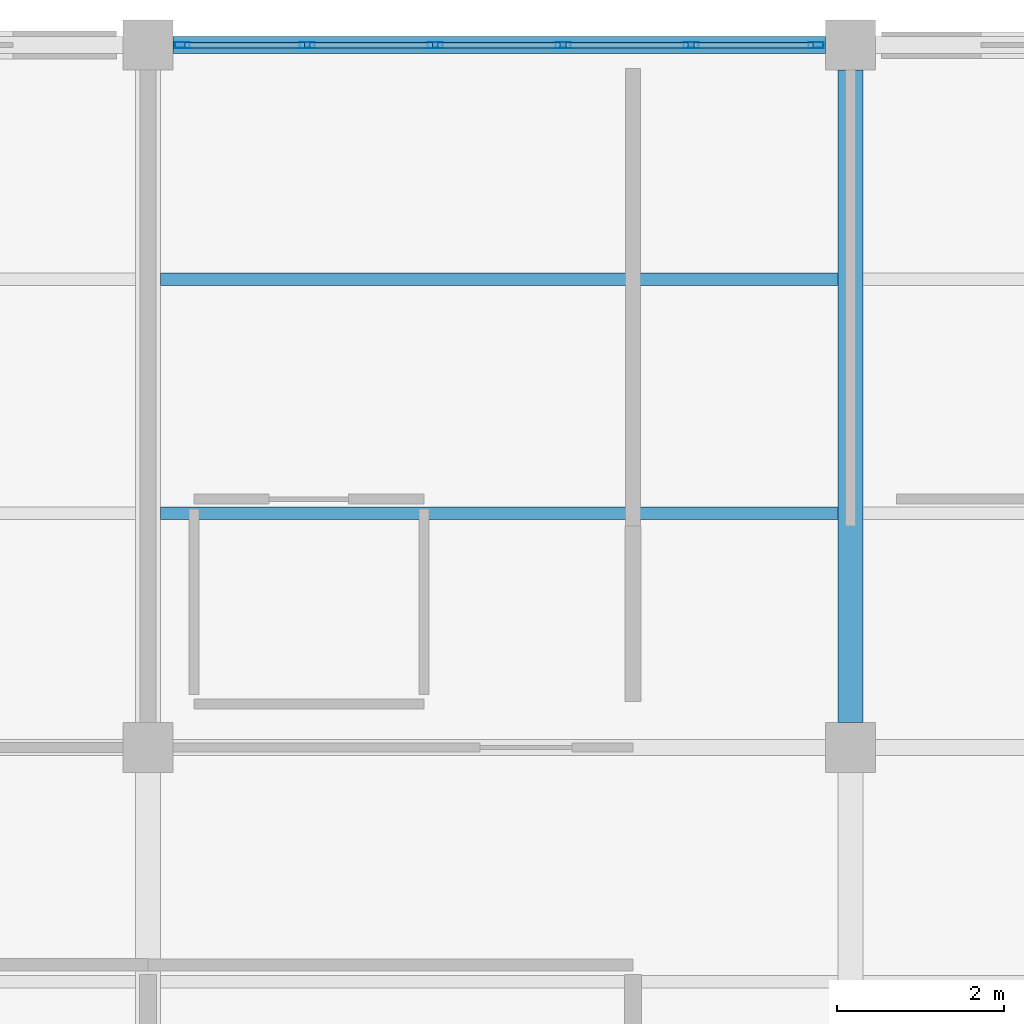
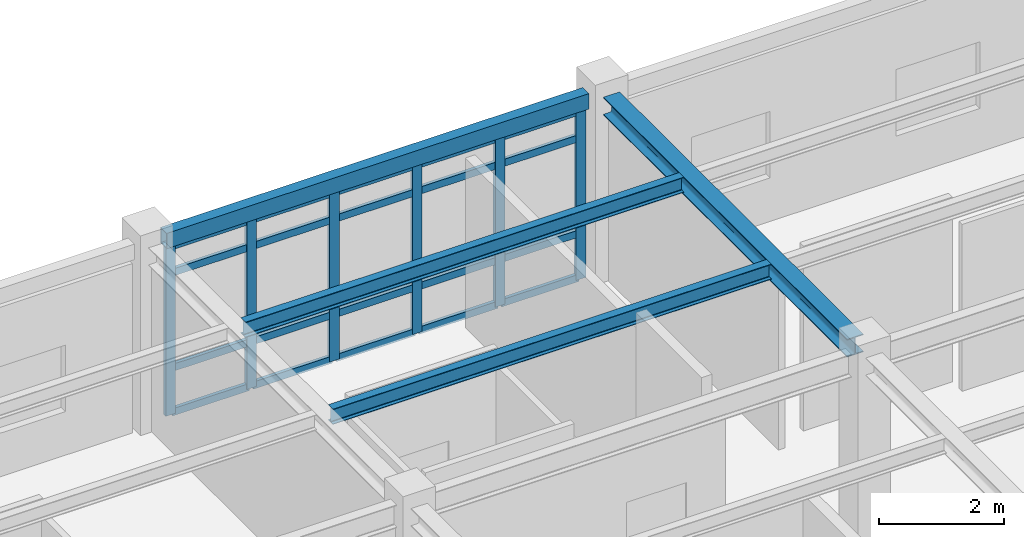
# One storey, part 27 of 86: 26 members, 4 beams, 1 element without a shape of its own.
"""IFC4 building model written with IfcOpenShell, lengths in metres."""

import ifcopenshell
import ifcopenshell.guid

model = None  # the IFC model being written
_history = None  # IfcOwnerHistory: only IFC2X3 demands one
_inside = {}  # id of a spatial element -> (the spatial element, [elements in it])
_under = {}  # id of a project, library or spatial element -> (it, [spatial elements below it])
_declared = {}  # id of a project -> (the project, [libraries it declares])
_typed = {}  # id of a type object -> (the type object, [elements of that type])
_made_of = {}  # id of a material, layer set ... -> (it, [elements and type objects made of it])


def new_model(schema):
    """Start an empty IFC model of exactly this schema.

    Asked for "IFC4X3", IfcOpenShell would pick the latest addendum, in which some entities
    have other attributes; the version numbers below select the first issue.
    IFC2X3 requires an IfcOwnerHistory on every rooted entity: one is made here for all.
    """
    global model, _history
    if schema == "IFC4X3":
        model = ifcopenshell.file(schema_version=(4, 3, 0, 0))
    else:
        model = ifcopenshell.file(schema=schema)
    _inside.clear()
    _under.clear()
    _declared.clear()
    _typed.clear()
    _made_of.clear()
    _history = None
    if model.schema == "IFC2X3":
        org = make("IfcOrganization", Name="unknown")
        user = make(
            "IfcPersonAndOrganization",
            ThePerson=make("IfcPerson", FamilyName="unknown"),
            TheOrganization=org,
        )
        app = make(
            "IfcApplication",
            ApplicationDeveloper=org,
            Version="unknown",
            ApplicationFullName="unknown",
            ApplicationIdentifier="unknown",
        )
        _history = make(
            "IfcOwnerHistory",
            OwningUser=user,
            OwningApplication=app,
            ChangeAction="ADDED",
            CreationDate=0,
        )
    return model


def make(cls, **values):
    """One entity of the class cls with the attributes given. An attribute that is None is left unset."""
    return model.create_entity(
        cls, **{name: value for name, value in values.items() if value is not None}
    )


def rooted(cls, **values):
    """An entity with a GlobalId (a new one), such as an element, a storey or a relation."""
    return make(cls, GlobalId=ifcopenshell.guid.new(), OwnerHistory=_history, **values)


def si_unit(unit_type, name, prefix=None):
    """IfcSIUnit, for example si_unit("LENGTHUNIT", "METRE", prefix="MILLI")."""
    return make("IfcSIUnit", UnitType=unit_type, Prefix=prefix, Name=name)


def assignment(units):
    """IfcUnitAssignment: the units of a project."""
    return None if units is None else make("IfcUnitAssignment", Units=units)


def point(xyz):
    """IfcCartesianPoint."""
    return None if xyz is None else make("IfcCartesianPoint", Coordinates=xyz)


def direction(xyz):
    """IfcDirection."""
    return None if xyz is None else make("IfcDirection", DirectionRatios=xyz)


def frame(location, z_axis=None, x_axis=None):
    """IfcAxis2Placement3D, a coordinate frame: its origin and axes. An axis left out is left unset."""
    return make(
        "IfcAxis2Placement3D",
        Location=point(location),
        Axis=direction(z_axis),
        RefDirection=direction(x_axis),
    )


def frame_2d(location, x_axis=None):
    """IfcAxis2Placement2D, a coordinate frame in the plane: its origin and x axis."""
    return make(
        "IfcAxis2Placement2D", Location=point(location), RefDirection=direction(x_axis)
    )


def origin():
    """The frame at (0, 0, 0) with its axes left unset."""
    return frame((0.0, 0.0, 0.0))


def origin_2d():
    """The frame at (0, 0) in the plane with its x axis left unset."""
    return frame_2d((0.0, 0.0))


def place(relative_to, where):
    """IfcLocalPlacement: puts the frame where relative to a parent placement (None: the world)."""
    return make(
        "IfcLocalPlacement", PlacementRelTo=relative_to, RelativePlacement=where
    )


def context(
    kind, dimensions, precision=None, world=None, true_north=None, identifier=None
):
    """IfcGeometricRepresentationContext, for example the 3D "Model" context."""
    return make(
        "IfcGeometricRepresentationContext",
        ContextIdentifier=identifier,
        ContextType=kind,
        CoordinateSpaceDimension=dimensions,
        Precision=precision,
        WorldCoordinateSystem=world,
        TrueNorth=true_north,
    )


def subcontext(parent, identifier, kind, view, scale=None):
    """IfcGeometricRepresentationSubContext, for example "Body" below "Model"."""
    return make(
        "IfcGeometricRepresentationSubContext",
        ContextIdentifier=identifier,
        ContextType=kind,
        ParentContext=parent,
        TargetScale=scale,
        TargetView=view,
    )


def project(units=None, contexts=None):
    """IfcProject with its units and contexts."""
    return rooted(
        "IfcProject",
        Name="project",
        RepresentationContexts=contexts,
        UnitsInContext=assignment(units),
    )


def spatial(cls, under=None, at=None, **own):
    """A site, building, storey or space (cls), placed at a placement, below another one or the project."""
    s = rooted(cls, ObjectPlacement=at, **own)
    if under is not None:
        _under.setdefault(under.id(), (under, []))[1].append(s)
    return s


def profile(cls, at=None, kind="AREA", **sizes):
    """A parametric profile (cls). Its sizes go by their IFC names, for example OverallWidth=200.0."""
    return make(cls, ProfileType=kind, Position=at, **sizes)


def hollow_rectangle(**sizes):
    """IfcRectangleHollowProfileDef."""
    return profile("IfcRectangleHollowProfileDef", **sizes)


def i_section(**sizes):
    """IfcIShapeProfileDef."""
    return profile("IfcIShapeProfileDef", **sizes)


def extrude(swept, where, along, depth):
    """IfcExtrudedAreaSolid: the profile swept, set in the frame where, extruded along a direction by depth."""
    return make(
        "IfcExtrudedAreaSolid",
        SweptArea=swept,
        Position=where,
        ExtrudedDirection=direction(along),
        Depth=depth,
    )


def shape(context_of_items, identifier, shape_type, items):
    """IfcShapeRepresentation: the items that make up one representation, for example the "Body"."""
    return make(
        "IfcShapeRepresentation",
        ContextOfItems=context_of_items,
        RepresentationIdentifier=identifier,
        RepresentationType=shape_type,
        Items=items,
    )


def material(Name=None, Category=None):
    """IfcMaterial."""
    return make("IfcMaterial", Name=Name, Category=Category)


def layer(
    of_material, thickness, ventilated=None, Name=None, Category=None, Priority=None
):
    """IfcMaterialLayer: one layer of a wall or slab, of a material (None: an air gap)."""
    return make(
        "IfcMaterialLayer",
        Material=of_material,
        LayerThickness=thickness,
        IsVentilated=ventilated,
        Name=Name,
        Category=Category,
        Priority=Priority,
    )


def layer_set(layers, Name=None):
    """IfcMaterialLayerSet."""
    return make("IfcMaterialLayerSet", MaterialLayers=layers, LayerSetName=Name)


def material_profile(
    of_material, cross_section, Name=None, Category=None, Priority=None
):
    """IfcMaterialProfile: a cross section and its material."""
    return make(
        "IfcMaterialProfile",
        Name=Name,
        Material=of_material,
        Profile=cross_section,
        Priority=Priority,
        Category=Category,
    )


def profile_set(profiles, Name=None, composite=None):
    """IfcMaterialProfileSet."""
    return make(
        "IfcMaterialProfileSet",
        Name=Name,
        MaterialProfiles=profiles,
        CompositeProfile=composite,
    )


def made_of(thing, what):
    """Note that an element or type object is made of a material, layer set ...; save() writes the relation."""
    if what is not None:
        _made_of.setdefault(what.id(), (what, []))[1].append(thing)
    return thing


def type_object(cls, material=None, **own):
    """A type object (cls), such as IfcWallType, which elements share."""
    return made_of(rooted(cls, **own), material)


def element(
    cls,
    number,
    at=None,
    inside=None,
    cuts=None,
    type_object=None,
    material=None,
    context=None,
    identifier="Body",
    shape_type=None,
    held_by="IfcProductDefinitionShape",
    body=None,
    shapes=None,
    **own,
):
    """One element of the class cls, such as IfcWall. Its Tag is "e" and its number.

    at: its placement. inside: the storey or other place that contains it. cuts: it is an
    opening in that element (IfcRelVoidsElement). A single representation is given by context,
    identifier, shape_type and body (its items); several are given by shapes. held_by: the class
    of the entity that holds the representations. save() writes the other relations.
    """
    e = rooted(cls, Tag="e%d" % number, ObjectPlacement=at, **own)
    if body is not None:
        shapes = [shape(context, identifier, shape_type, body)]
    if shapes is not None:
        e.Representation = make(held_by, Representations=shapes)
    if inside is not None:
        _inside.setdefault(inside.id(), (inside, []))[1].append(e)
    if cuts is not None:
        rooted(
            "IfcRelVoidsElement", RelatingBuildingElement=cuts, RelatedOpeningElement=e
        )
    if type_object is not None:
        _typed.setdefault(type_object.id(), (type_object, []))[1].append(e)
    return made_of(e, material)


def aggregate(whole, parts):
    """IfcRelAggregates: a whole, such as a stair, and the parts it consists of."""
    return rooted("IfcRelAggregates", RelatingObject=whole, RelatedObjects=parts)


def save(model, path):
    """Write the relations noted so far, then the file.

    IfcRelAggregates (storeys below a building ...), IfcRelContainedInSpatialStructure (elements
    in a storey), IfcRelDefinesByType, IfcRelAssociatesMaterial and IfcRelDeclares: one each for
    every whole, place, type object, material and project.
    """
    for whole, parts in _under.values():
        aggregate(whole, parts)
    for where, things in _inside.values():
        rooted(
            "IfcRelContainedInSpatialStructure",
            RelatedElements=things,
            RelatingStructure=where,
        )
    for kind, things in _typed.values():
        rooted("IfcRelDefinesByType", RelatedObjects=things, RelatingType=kind)
    for what, things in _made_of.values():
        rooted("IfcRelAssociatesMaterial", RelatedObjects=things, RelatingMaterial=what)
    for by, libraries in _declared.values():
        rooted("IfcRelDeclares", RelatingContext=by, RelatedDefinitions=libraries)
    model.write(path)


model = new_model("IFC4")

# Units and contexts
model_context = context("Model", 3, precision=1e-05, world=origin(), true_north=direction((0.0, 1.0)))
body_context = subcontext(model_context, "Body", "Model", "MODEL_VIEW")
ifc_project = project(units=[si_unit("LENGTHUNIT", "METRE"), si_unit("AREAUNIT", "SQUARE_METRE"), si_unit("VOLUMEUNIT", "CUBIC_METRE"), si_unit("PLANEANGLEUNIT", "RADIAN"), si_unit("MASSUNIT", "GRAM", prefix="KILO")], contexts=[model_context])

# Site, building, storey
site_placement = place(None, origin())
site = spatial("IfcSite", under=ifc_project, at=site_placement, CompositionType="ELEMENT")
building_placement = place(site_placement, origin())
building = spatial("IfcBuilding", under=site, at=building_placement, Name="Bramfleet General Hospital", CompositionType="ELEMENT")
storey_placement = place(building_placement, frame((0.0, 0.0, 18.60009765625)))
storey = spatial("IfcBuildingStorey", under=building, at=storey_placement, Name="L04", CompositionType="ELEMENT", Elevation=18.60009765625)

# Beams
ifc_material_1 = material(Name="Steel S355", Category="steel")
ifc_material_profile_1 = material_profile(ifc_material_1, i_section(OverallWidth=0.300048828125, OverallDepth=0.35009765625, WebThickness=0.010009765625, FlangeThickness=0.017578125, FilletRadius=0.027099609375, at=origin_2d()), Name="HEA 360")
ifc_profile_set_1 = profile_set([ifc_material_profile_1], Name="Steel S355")
beam_type_1 = type_object("IfcBeamType", Name="BM-HEA360", PredefinedType="BEAM", material=ifc_profile_set_1)
beam_1_placement = place(storey_placement, frame((100.800048828125, 109.5, 3.44482421875), z_axis=(0.0, 1.0, 0.0), x_axis=(-1.0, 0.0, 0.0)))
element("IfcBeam", 1, at=beam_1_placement, inside=storey, type_object=beam_type_1, Name="L04 Grid Beam Y 12-13", PredefinedType="BEAM", context=body_context, shape_type="SweptSolid", body=[
    extrude(i_section(OverallWidth=0.300048828125, OverallDepth=0.35009765625, WebThickness=0.010009765625, FlangeThickness=0.017578125, FilletRadius=0.027099609375, at=origin_2d()), origin(), (0.0, 0.0, 1.0), 7.800048828125),
])
ifc_material_profile_2 = material_profile(ifc_material_1, i_section(OverallWidth=0.14990234375, OverallDepth=0.300048828125, WebThickness=0.007080078125, FlangeThickness=0.0107421875, FilletRadius=0.014892578125, at=origin_2d()), Name="IPE 300")
ifc_profile_set_2 = profile_set([ifc_material_profile_2], Name="Steel S355")
beam_type_2 = type_object("IfcBeamType", Name="BM-IPE300", PredefinedType="JOIST", material=ifc_profile_set_2)
for number, where, z_axis, x_axis, name in (
    (2, (92.550048828125, 112.0, 3.469970703125), (1.0, 0.0, 0.0), (0.0, 1.0, 0.0), "L04 Secondary Joist 11-13-1"),
    (3, (92.550048828125, 114.800048828125, 3.469970703125), (1.0, 0.0, 0.0), (0.0, 1.0, 0.0), "L04 Secondary Joist 11-13-2"),
):
    element("IfcBeam", number, at=place(storey_placement, frame(where, z_axis=z_axis, x_axis=x_axis)), inside=storey, type_object=beam_type_2, Name=name, PredefinedType="JOIST", context=body_context, shape_type="SweptSolid", body=[
        extrude(i_section(OverallWidth=0.14990234375, OverallDepth=0.300048828125, WebThickness=0.007080078125, FlangeThickness=0.0107421875, FilletRadius=0.014892578125, at=origin_2d()), origin(), (0.0, 0.0, 1.0), 8.099853515625),
    ])
ifc_material_profile_3 = material_profile(ifc_material_1, hollow_rectangle(XDim=0.199951171875, YDim=0.300048828125, WallThickness=0.012451171875, at=origin_2d()), Name="RHS 300x200x12.5")
ifc_profile_set_3 = profile_set([ifc_material_profile_3], Name="Steel S355")
beam_type_3 = type_object("IfcBeamType", Name="BM-RHS300", PredefinedType="SPANDREL", material=ifc_profile_set_3)
beam_2_placement = place(storey_placement, frame((92.699951171875, 117.60009765625, 3.469970703125), z_axis=(1.0, 0.0, 0.0), x_axis=(0.0, 1.0, 0.0)))
element("IfcBeam", 4, at=beam_2_placement, inside=storey, type_object=beam_type_3, Name="L04 Grid Beam X 11-14", PredefinedType="SPANDREL", context=body_context, shape_type="SweptSolid", body=[
    extrude(hollow_rectangle(XDim=0.199951171875, YDim=0.300048828125, WallThickness=0.012451171875, at=origin_2d()), origin(), (0.0, 0.0, 1.0), 7.800048828125),
])

# Curtain wall, members
ifc_material_2 = material(Name="Anodised aluminium and low-E triple glazing", Category="aluminium")
ifc_layer = layer(ifc_material_2, 0.179931640625, Name="CWT-CW-08")
ifc_layer_set = layer_set([ifc_layer], Name="Anodised aluminium and low-E triple glazing")
curtain_wall_type = type_object("IfcCurtainWallType", Name="CWT-CW-08", PredefinedType="USERDEFINED", material=ifc_layer_set)
curtain_wall_placement = place(storey_placement, origin())
curtain_wall = element("IfcCurtainWall", 5, at=curtain_wall_placement, inside=storey, type_object=curtain_wall_type, Name="L04 Curtain Wall 188", ObjectType="Unitised curtain wall", PredefinedType="USERDEFINED")
ifc_material_3 = material(Name="Anodised aluminium EN AW-6060", Category="aluminium")
ifc_material_profile_4 = material_profile(ifc_material_3, hollow_rectangle(XDim=0.070068359375, YDim=0.179931640625, WallThickness=0.00390625, at=origin_2d()), Name="ALU 180x70x4.0")
ifc_profile_set_4 = profile_set([ifc_material_profile_4], Name="Anodised aluminium EN AW-6060")
member_type_1 = type_object("IfcMemberType", Name="CWM-ALU180", PredefinedType="MULLION", material=ifc_profile_set_4)
member_1_placement = place(storey_placement, frame((92.81005859375, 117.60009765625, 0.0), z_axis=(0.0, 0.0, 1.0), x_axis=(0.0, 1.0, 0.0)))
member_1 = element("IfcMember", 6, at=member_1_placement, type_object=member_type_1, Name="CW-08 mullion 1", PredefinedType="MULLION", context=body_context, shape_type="SweptSolid", body=[
    extrude(hollow_rectangle(XDim=0.070068359375, YDim=0.179931640625, WallThickness=0.00390625, at=origin_2d()), origin(), (0.0, 0.0, 1.0), 3.309814453125),
])
member_2_placement = place(storey_placement, frame((94.304931640625, 117.60009765625, 0.0), z_axis=(0.0, 0.0, 1.0), x_axis=(0.0, 1.0, 0.0)))
member_2 = element("IfcMember", 7, at=member_2_placement, type_object=member_type_1, Name="CW-08 mullion 2", PredefinedType="MULLION", context=body_context, shape_type="SweptSolid", body=[
    extrude(hollow_rectangle(XDim=0.070068359375, YDim=0.179931640625, WallThickness=0.00390625, at=origin_2d()), origin(), (0.0, 0.0, 1.0), 3.309814453125),
])
member_3_placement = place(storey_placement, frame((95.8349609375, 117.60009765625, 0.0), z_axis=(0.0, 0.0, 1.0), x_axis=(0.0, 1.0, 0.0)))
member_3 = element("IfcMember", 8, at=member_3_placement, type_object=member_type_1, Name="CW-08 mullion 3", PredefinedType="MULLION", context=body_context, shape_type="SweptSolid", body=[
    extrude(hollow_rectangle(XDim=0.070068359375, YDim=0.179931640625, WallThickness=0.00390625, at=origin_2d()), origin(), (0.0, 0.0, 1.0), 3.309814453125),
])
member_4_placement = place(storey_placement, frame((97.364990234375, 117.60009765625, 0.0), z_axis=(0.0, 0.0, 1.0), x_axis=(0.0, 1.0, 0.0)))
member_4 = element("IfcMember", 9, at=member_4_placement, type_object=member_type_1, Name="CW-08 mullion 4", PredefinedType="MULLION", context=body_context, shape_type="SweptSolid", body=[
    extrude(hollow_rectangle(XDim=0.070068359375, YDim=0.179931640625, WallThickness=0.00390625, at=origin_2d()), origin(), (0.0, 0.0, 1.0), 3.309814453125),
])
member_5_placement = place(storey_placement, frame((98.89501953125, 117.60009765625, 0.0), z_axis=(0.0, 0.0, 1.0), x_axis=(0.0, 1.0, 0.0)))
member_5 = element("IfcMember", 10, at=member_5_placement, type_object=member_type_1, Name="CW-08 mullion 5", PredefinedType="MULLION", context=body_context, shape_type="SweptSolid", body=[
    extrude(hollow_rectangle(XDim=0.070068359375, YDim=0.179931640625, WallThickness=0.00390625, at=origin_2d()), origin(), (0.0, 0.0, 1.0), 3.309814453125),
])
member_6_placement = place(storey_placement, frame((100.389892578125, 117.60009765625, 0.0), z_axis=(0.0, 0.0, 1.0), x_axis=(0.0, 1.0, 0.0)))
member_6 = element("IfcMember", 11, at=member_6_placement, type_object=member_type_1, Name="CW-08 mullion 6", PredefinedType="MULLION", context=body_context, shape_type="SweptSolid", body=[
    extrude(hollow_rectangle(XDim=0.070068359375, YDim=0.179931640625, WallThickness=0.00390625, at=origin_2d()), origin(), (0.0, 0.0, 1.0), 3.309814453125),
])
ifc_material_profile_5 = material_profile(ifc_material_3, hollow_rectangle(XDim=0.06494140625, YDim=0.139892578125, WallThickness=0.00390625, at=origin_2d()), Name="ALU 140x65x4.0")
ifc_profile_set_5 = profile_set([ifc_material_profile_5], Name="Anodised aluminium EN AW-6060")
member_type_2 = type_object("IfcMemberType", Name="CWT-ALU140", PredefinedType="USERDEFINED", material=ifc_profile_set_5)
member_7_placement = place(storey_placement, frame((92.844970703125, 117.60009765625, 0.032470703125), z_axis=(1.0, 0.0, 0.0), x_axis=(0.0, 1.0, 0.0)))
member_7 = element("IfcMember", 12, at=member_7_placement, type_object=member_type_2, Name="CW-08 transom 1.1", ObjectType="TRANSOM", PredefinedType="USERDEFINED", context=body_context, shape_type="SweptSolid", body=[
    extrude(hollow_rectangle(XDim=0.06494140625, YDim=0.139892578125, WallThickness=0.00390625, at=origin_2d()), origin(), (0.0, 0.0, 1.0), 1.425048828125),
])
member_8_placement = place(storey_placement, frame((92.844970703125, 117.60009765625, 0.89990234375), z_axis=(1.0, 0.0, 0.0), x_axis=(0.0, 1.0, 0.0)))
member_8 = element("IfcMember", 13, at=member_8_placement, type_object=member_type_2, Name="CW-08 transom 1.2", ObjectType="TRANSOM", PredefinedType="USERDEFINED", context=body_context, shape_type="SweptSolid", body=[
    extrude(hollow_rectangle(XDim=0.06494140625, YDim=0.139892578125, WallThickness=0.00390625, at=origin_2d()), origin(), (0.0, 0.0, 1.0), 1.425048828125),
])
member_9_placement = place(storey_placement, frame((92.844970703125, 117.60009765625, 2.760009765625), z_axis=(1.0, 0.0, 0.0), x_axis=(0.0, 1.0, 0.0)))
member_9 = element("IfcMember", 14, at=member_9_placement, type_object=member_type_2, Name="CW-08 transom 1.3", ObjectType="TRANSOM", PredefinedType="USERDEFINED", context=body_context, shape_type="SweptSolid", body=[
    extrude(hollow_rectangle(XDim=0.06494140625, YDim=0.139892578125, WallThickness=0.00390625, at=origin_2d()), origin(), (0.0, 0.0, 1.0), 1.425048828125),
])
member_10_placement = place(storey_placement, frame((92.844970703125, 117.60009765625, 3.27734375), z_axis=(1.0, 0.0, 0.0), x_axis=(0.0, 1.0, 0.0)))
member_10 = element("IfcMember", 15, at=member_10_placement, type_object=member_type_2, Name="CW-08 transom 1.4", ObjectType="TRANSOM", PredefinedType="USERDEFINED", context=body_context, shape_type="SweptSolid", body=[
    extrude(hollow_rectangle(XDim=0.06494140625, YDim=0.139892578125, WallThickness=0.00390625, at=origin_2d()), origin(), (0.0, 0.0, 1.0), 1.425048828125),
])
member_11_placement = place(storey_placement, frame((94.340087890625, 117.60009765625, 0.032470703125), z_axis=(1.0, 0.0, 0.0), x_axis=(0.0, 1.0, 0.0)))
member_11 = element("IfcMember", 16, at=member_11_placement, type_object=member_type_2, Name="CW-08 transom 2.1", ObjectType="TRANSOM", PredefinedType="USERDEFINED", context=body_context, shape_type="SweptSolid", body=[
    extrude(hollow_rectangle(XDim=0.06494140625, YDim=0.139892578125, WallThickness=0.00390625, at=origin_2d()), origin(), (0.0, 0.0, 1.0), 1.4599609375),
])
member_12_placement = place(storey_placement, frame((94.340087890625, 117.60009765625, 0.89990234375), z_axis=(1.0, 0.0, 0.0), x_axis=(0.0, 1.0, 0.0)))
member_12 = element("IfcMember", 17, at=member_12_placement, type_object=member_type_2, Name="CW-08 transom 2.2", ObjectType="TRANSOM", PredefinedType="USERDEFINED", context=body_context, shape_type="SweptSolid", body=[
    extrude(hollow_rectangle(XDim=0.06494140625, YDim=0.139892578125, WallThickness=0.00390625, at=origin_2d()), origin(), (0.0, 0.0, 1.0), 1.4599609375),
])
member_13_placement = place(storey_placement, frame((94.340087890625, 117.60009765625, 2.760009765625), z_axis=(1.0, 0.0, 0.0), x_axis=(0.0, 1.0, 0.0)))
member_13 = element("IfcMember", 18, at=member_13_placement, type_object=member_type_2, Name="CW-08 transom 2.3", ObjectType="TRANSOM", PredefinedType="USERDEFINED", context=body_context, shape_type="SweptSolid", body=[
    extrude(hollow_rectangle(XDim=0.06494140625, YDim=0.139892578125, WallThickness=0.00390625, at=origin_2d()), origin(), (0.0, 0.0, 1.0), 1.4599609375),
])
member_14_placement = place(storey_placement, frame((94.340087890625, 117.60009765625, 3.27734375), z_axis=(1.0, 0.0, 0.0), x_axis=(0.0, 1.0, 0.0)))
member_14 = element("IfcMember", 19, at=member_14_placement, type_object=member_type_2, Name="CW-08 transom 2.4", ObjectType="TRANSOM", PredefinedType="USERDEFINED", context=body_context, shape_type="SweptSolid", body=[
    extrude(hollow_rectangle(XDim=0.06494140625, YDim=0.139892578125, WallThickness=0.00390625, at=origin_2d()), origin(), (0.0, 0.0, 1.0), 1.4599609375),
])
member_15_placement = place(storey_placement, frame((95.8701171875, 117.60009765625, 0.032470703125), z_axis=(1.0, 0.0, 0.0), x_axis=(0.0, 1.0, 0.0)))
member_15 = element("IfcMember", 20, at=member_15_placement, type_object=member_type_2, Name="CW-08 transom 3.1", ObjectType="TRANSOM", PredefinedType="USERDEFINED", context=body_context, shape_type="SweptSolid", body=[
    extrude(hollow_rectangle(XDim=0.06494140625, YDim=0.139892578125, WallThickness=0.00390625, at=origin_2d()), origin(), (0.0, 0.0, 1.0), 1.4599609375),
])
member_16_placement = place(storey_placement, frame((95.8701171875, 117.60009765625, 0.89990234375), z_axis=(1.0, 0.0, 0.0), x_axis=(0.0, 1.0, 0.0)))
member_16 = element("IfcMember", 21, at=member_16_placement, type_object=member_type_2, Name="CW-08 transom 3.2", ObjectType="TRANSOM", PredefinedType="USERDEFINED", context=body_context, shape_type="SweptSolid", body=[
    extrude(hollow_rectangle(XDim=0.06494140625, YDim=0.139892578125, WallThickness=0.00390625, at=origin_2d()), origin(), (0.0, 0.0, 1.0), 1.4599609375),
])
member_17_placement = place(storey_placement, frame((95.8701171875, 117.60009765625, 2.760009765625), z_axis=(1.0, 0.0, 0.0), x_axis=(0.0, 1.0, 0.0)))
member_17 = element("IfcMember", 22, at=member_17_placement, type_object=member_type_2, Name="CW-08 transom 3.3", ObjectType="TRANSOM", PredefinedType="USERDEFINED", context=body_context, shape_type="SweptSolid", body=[
    extrude(hollow_rectangle(XDim=0.06494140625, YDim=0.139892578125, WallThickness=0.00390625, at=origin_2d()), origin(), (0.0, 0.0, 1.0), 1.4599609375),
])
member_18_placement = place(storey_placement, frame((95.8701171875, 117.60009765625, 3.27734375), z_axis=(1.0, 0.0, 0.0), x_axis=(0.0, 1.0, 0.0)))
member_18 = element("IfcMember", 23, at=member_18_placement, type_object=member_type_2, Name="CW-08 transom 3.4", ObjectType="TRANSOM", PredefinedType="USERDEFINED", context=body_context, shape_type="SweptSolid", body=[
    extrude(hollow_rectangle(XDim=0.06494140625, YDim=0.139892578125, WallThickness=0.00390625, at=origin_2d()), origin(), (0.0, 0.0, 1.0), 1.4599609375),
])
member_19_placement = place(storey_placement, frame((97.39990234375, 117.60009765625, 0.032470703125), z_axis=(1.0, 0.0, 0.0), x_axis=(0.0, 1.0, 0.0)))
member_19 = element("IfcMember", 24, at=member_19_placement, type_object=member_type_2, Name="CW-08 transom 4.1", ObjectType="TRANSOM", PredefinedType="USERDEFINED", context=body_context, shape_type="SweptSolid", body=[
    extrude(hollow_rectangle(XDim=0.06494140625, YDim=0.139892578125, WallThickness=0.00390625, at=origin_2d()), origin(), (0.0, 0.0, 1.0), 1.460205078125),
])
member_20_placement = place(storey_placement, frame((97.39990234375, 117.60009765625, 0.89990234375), z_axis=(1.0, 0.0, 0.0), x_axis=(0.0, 1.0, 0.0)))
member_20 = element("IfcMember", 25, at=member_20_placement, type_object=member_type_2, Name="CW-08 transom 4.2", ObjectType="TRANSOM", PredefinedType="USERDEFINED", context=body_context, shape_type="SweptSolid", body=[
    extrude(hollow_rectangle(XDim=0.06494140625, YDim=0.139892578125, WallThickness=0.00390625, at=origin_2d()), origin(), (0.0, 0.0, 1.0), 1.460205078125),
])
member_21_placement = place(storey_placement, frame((97.39990234375, 117.60009765625, 2.760009765625), z_axis=(1.0, 0.0, 0.0), x_axis=(0.0, 1.0, 0.0)))
member_21 = element("IfcMember", 26, at=member_21_placement, type_object=member_type_2, Name="CW-08 transom 4.3", ObjectType="TRANSOM", PredefinedType="USERDEFINED", context=body_context, shape_type="SweptSolid", body=[
    extrude(hollow_rectangle(XDim=0.06494140625, YDim=0.139892578125, WallThickness=0.00390625, at=origin_2d()), origin(), (0.0, 0.0, 1.0), 1.460205078125),
])
member_22_placement = place(storey_placement, frame((97.39990234375, 117.60009765625, 3.27734375), z_axis=(1.0, 0.0, 0.0), x_axis=(0.0, 1.0, 0.0)))
member_22 = element("IfcMember", 27, at=member_22_placement, type_object=member_type_2, Name="CW-08 transom 4.4", ObjectType="TRANSOM", PredefinedType="USERDEFINED", context=body_context, shape_type="SweptSolid", body=[
    extrude(hollow_rectangle(XDim=0.06494140625, YDim=0.139892578125, WallThickness=0.00390625, at=origin_2d()), origin(), (0.0, 0.0, 1.0), 1.460205078125),
])
member_23_placement = place(storey_placement, frame((98.929931640625, 117.60009765625, 0.032470703125), z_axis=(1.0, 0.0, 0.0), x_axis=(0.0, 1.0, 0.0)))
member_23 = element("IfcMember", 28, at=member_23_placement, type_object=member_type_2, Name="CW-08 transom 5.1", ObjectType="TRANSOM", PredefinedType="USERDEFINED", context=body_context, shape_type="SweptSolid", body=[
    extrude(hollow_rectangle(XDim=0.06494140625, YDim=0.139892578125, WallThickness=0.00390625, at=origin_2d()), origin(), (0.0, 0.0, 1.0), 1.425048828125),
])
member_24_placement = place(storey_placement, frame((98.929931640625, 117.60009765625, 0.89990234375), z_axis=(1.0, 0.0, 0.0), x_axis=(0.0, 1.0, 0.0)))
member_24 = element("IfcMember", 29, at=member_24_placement, type_object=member_type_2, Name="CW-08 transom 5.2", ObjectType="TRANSOM", PredefinedType="USERDEFINED", context=body_context, shape_type="SweptSolid", body=[
    extrude(hollow_rectangle(XDim=0.06494140625, YDim=0.139892578125, WallThickness=0.00390625, at=origin_2d()), origin(), (0.0, 0.0, 1.0), 1.425048828125),
])
member_25_placement = place(storey_placement, frame((98.929931640625, 117.60009765625, 2.760009765625), z_axis=(1.0, 0.0, 0.0), x_axis=(0.0, 1.0, 0.0)))
member_25 = element("IfcMember", 30, at=member_25_placement, type_object=member_type_2, Name="CW-08 transom 5.3", ObjectType="TRANSOM", PredefinedType="USERDEFINED", context=body_context, shape_type="SweptSolid", body=[
    extrude(hollow_rectangle(XDim=0.06494140625, YDim=0.139892578125, WallThickness=0.00390625, at=origin_2d()), origin(), (0.0, 0.0, 1.0), 1.425048828125),
])
member_26_placement = place(storey_placement, frame((98.929931640625, 117.60009765625, 3.27734375), z_axis=(1.0, 0.0, 0.0), x_axis=(0.0, 1.0, 0.0)))
member_26 = element("IfcMember", 31, at=member_26_placement, type_object=member_type_2, Name="CW-08 transom 5.4", ObjectType="TRANSOM", PredefinedType="USERDEFINED", context=body_context, shape_type="SweptSolid", body=[
    extrude(hollow_rectangle(XDim=0.06494140625, YDim=0.139892578125, WallThickness=0.00390625, at=origin_2d()), origin(), (0.0, 0.0, 1.0), 1.425048828125),
])
aggregate(curtain_wall, [member_1, member_2, member_3, member_4, member_5, member_6, member_7, member_8, member_9, member_10, member_11, member_12, member_13, member_14, member_15, member_16, member_17, member_18, member_19, member_20, member_21, member_22, member_23, member_24, member_25, member_26])

save(model, "model.ifc")
